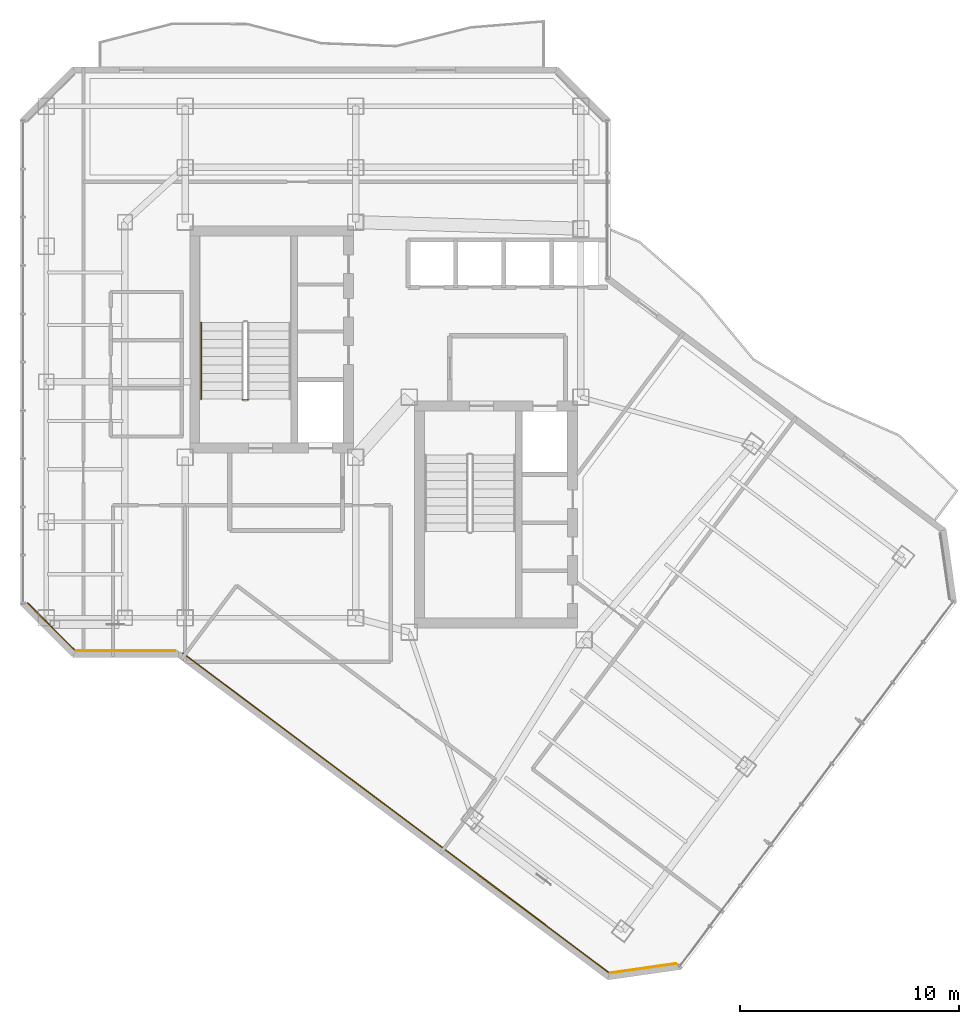
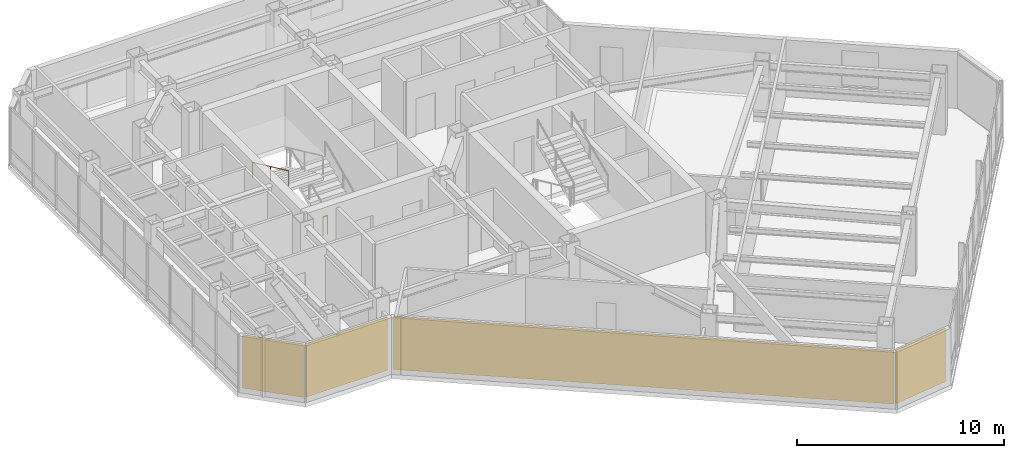
# One storey, part 22 of 25: 4 coverings, 2 railings.
"""IFC4 building model written with IfcOpenShell, lengths in metres."""

from ifc_helpers import new_model, si_unit, direction, frame, origin, origin_2d, place, context, subcontext, project, spatial, rectangle, circle, extrude, material, layer, layer_set, type_object, element, save


model = new_model("IFC4")

# Units and contexts
model_context = context("Model", 3, precision=1e-05, world=origin(), true_north=direction((0.0, 1.0)))
body_context = subcontext(model_context, "Body", "Model", "MODEL_VIEW")
ifc_project = project(units=[si_unit("LENGTHUNIT", "METRE"), si_unit("AREAUNIT", "SQUARE_METRE"), si_unit("VOLUMEUNIT", "CUBIC_METRE"), si_unit("PLANEANGLEUNIT", "RADIAN"), si_unit("MASSUNIT", "GRAM", prefix="KILO")], contexts=[model_context])

# Site, building, storey
site_placement = place(None, origin())
site = spatial("IfcSite", under=ifc_project, at=site_placement, CompositionType="ELEMENT")
building_placement = place(site_placement, origin())
building = spatial("IfcBuilding", under=site, at=building_placement, Name="Hatsunagi Terrace Concourse", CompositionType="ELEMENT")
storey_placement = place(building_placement, frame((0.0, 0.0, 205.949951171875)))
storey = spatial("IfcBuildingStorey", under=building, at=storey_placement, Name="L54", CompositionType="ELEMENT", Elevation=205.949951171875)

# Railings
ifc_material_1 = material(Name="Stainless steel", Category="steel")
ifc_layer_1 = layer(ifc_material_1, 0.044921875)
ifc_layer_set_1 = layer_set([ifc_layer_1], Name="StairPitchHandrail_Tower2000")
railing_type_1 = type_object("IfcRailingType", Name="StairPitchHandrail_Tower2000", PredefinedType="HANDRAIL", material=ifc_layer_set_1)
railing_1_placement = place(storey_placement, frame((26.280029296875, 38.7099609375, 1.97998046875)))
element("IfcRailing", 1, at=railing_1_placement, inside=storey, type_object=railing_type_1, Name="L54 ST-A stair handrail 2", PredefinedType="HANDRAIL", context=body_context, shape_type="SweptSolid", body=[
    extrude(circle(Radius=0.02392578125, at=origin_2d()), frame((0.0, 0.0, 0.8759765625), z_axis=(0.0, -0.907948293929, 0.419082206198), x_axis=(1.0, 0.0, 0.0)), (0.0, 0.0, 1.0), 3.865966796875),
    extrude(circle(Radius=0.02099609375, at=origin_2d()), origin(), (0.0, 0.0, 1.0), 0.851806640625),
    extrude(circle(Radius=0.02099609375, at=origin_2d()), frame((0.0, -1.7548828125, 0.81005859375)), (0.0, 0.0, 1.0), 0.851806640625),
    extrude(circle(Radius=0.02099609375, at=origin_2d()), frame((0.0, -3.510009765625, 1.6201171875)), (0.0, 0.0, 1.0), 0.851806640625),
])
ifc_material_2 = material(Name="Stainless Steel SUS316 Post-and-Rail Guard", Category="steel")
ifc_layer_2 = layer(ifc_material_2, 0.080078125)
ifc_layer_set_2 = layer_set([ifc_layer_2], Name="TerracePlantedGuardRail_1200")
railing_type_2 = type_object("IfcRailingType", Name="TerracePlantedGuardRail_1200", PredefinedType="GUARDRAIL", material=ifc_layer_set_2)
railing_2_placement = place(storey_placement, frame((28.179931640625, 35.179931640625, 0.0)))
element("IfcRailing", 2, at=railing_2_placement, inside=storey, type_object=railing_type_2, Name="Stair ST-A Well Closure Guard L54", PredefinedType="GUARDRAIL", context=body_context, shape_type="SweptSolid", body=[
    extrude(circle(Radius=0.02392578125, at=origin_2d()), frame((0.0, 0.0, 1.09619140625), z_axis=(1.0, 0.0, 0.0), x_axis=(0.0, 1.0, 0.0)), (0.0, 0.0, 1.0), 0.25),
    extrude(circle(Radius=0.02099609375, at=origin_2d()), origin(), (0.0, 0.0, 1.0), 1.072021484375),
    extrude(circle(Radius=0.02099609375, at=origin_2d()), frame((0.25, 0.0, 0.0)), (0.0, 0.0, 1.0), 1.072021484375),
])

# Coverings
ifc_material_3 = material(Name="Unglazed Warm Terracotta Rainscreen Tile", Category="masonry")
ifc_layer_3 = layer(ifc_material_3, 0.044921875)
ifc_layer_set_3 = layer_set([ifc_layer_3], Name="TerracottaRainscreenCladding_45")
covering_type = type_object("IfcCoveringType", Name="TerracottaRainscreenCladding_45", PredefinedType="CLADDING", material=ifc_layer_set_3)
covering_1_placement = place(storey_placement, frame((46.51806640625, 9.178955078125, 0.10009765625), z_axis=(0.0, 0.0, 1.0), x_axis=(-0.989973920543, -0.141250262458, 0.0)))
element("IfcCovering", 3, at=covering_1_placement, inside=storey, type_object=covering_type, Name="Terracotta Rainscreen Cladding L54-04", PredefinedType="CLADDING", context=body_context, shape_type="SweptSolid", body=[
    extrude(rectangle(XDim=3.0380859375, YDim=0.044921875, at=origin_2d()), origin(), (0.0, 0.0, 1.0), 3.14990234375),
])
covering_2_placement = place(storey_placement, frame((35.179931640625, 16.29296875, 0.10009765625), z_axis=(0.0, 0.0, 1.0), x_axis=(-0.800005211305, 0.599993051531, 0.0)))
element("IfcCovering", 4, at=covering_2_placement, inside=storey, type_object=covering_type, Name="Terracotta Rainscreen Cladding L54-05", PredefinedType="CLADDING", context=body_context, shape_type="SweptSolid", body=[
    extrude(rectangle(XDim=24.34912109375, YDim=0.044921875, at=origin_2d()), origin(), (0.0, 0.0, 1.0), 3.14990234375),
])
covering_3_placement = place(storey_placement, frame((22.85205078125, 23.701904296875, 0.10009765625), z_axis=(0.0, 0.0, 1.0), x_axis=(-1.0, 0.0, 0.0)))
element("IfcCovering", 5, at=covering_3_placement, inside=storey, type_object=covering_type, Name="Terracotta Rainscreen Cladding L54-06", PredefinedType="CLADDING", context=body_context, shape_type="SweptSolid", body=[
    extrude(rectangle(XDim=4.549072265625, YDim=0.044921875, at=origin_2d()), origin(), (0.0, 0.0, 1.0), 3.14990234375),
])
covering_4_placement = place(storey_placement, frame((19.4140625, 24.81396484375, 0.10009765625), z_axis=(0.0, 0.0, 1.0), x_axis=(-0.707106781187, 0.707106781187, 0.0)))
element("IfcCovering", 6, at=covering_4_placement, inside=storey, type_object=covering_type, Name="Terracotta Rainscreen Cladding L54-07", PredefinedType="CLADDING", context=body_context, shape_type="SweptSolid", body=[
    extrude(rectangle(XDim=3.0380859375, YDim=0.044921875, at=origin_2d()), origin(), (0.0, 0.0, 1.0), 3.14990234375),
])

save(model, "model.ifc")
